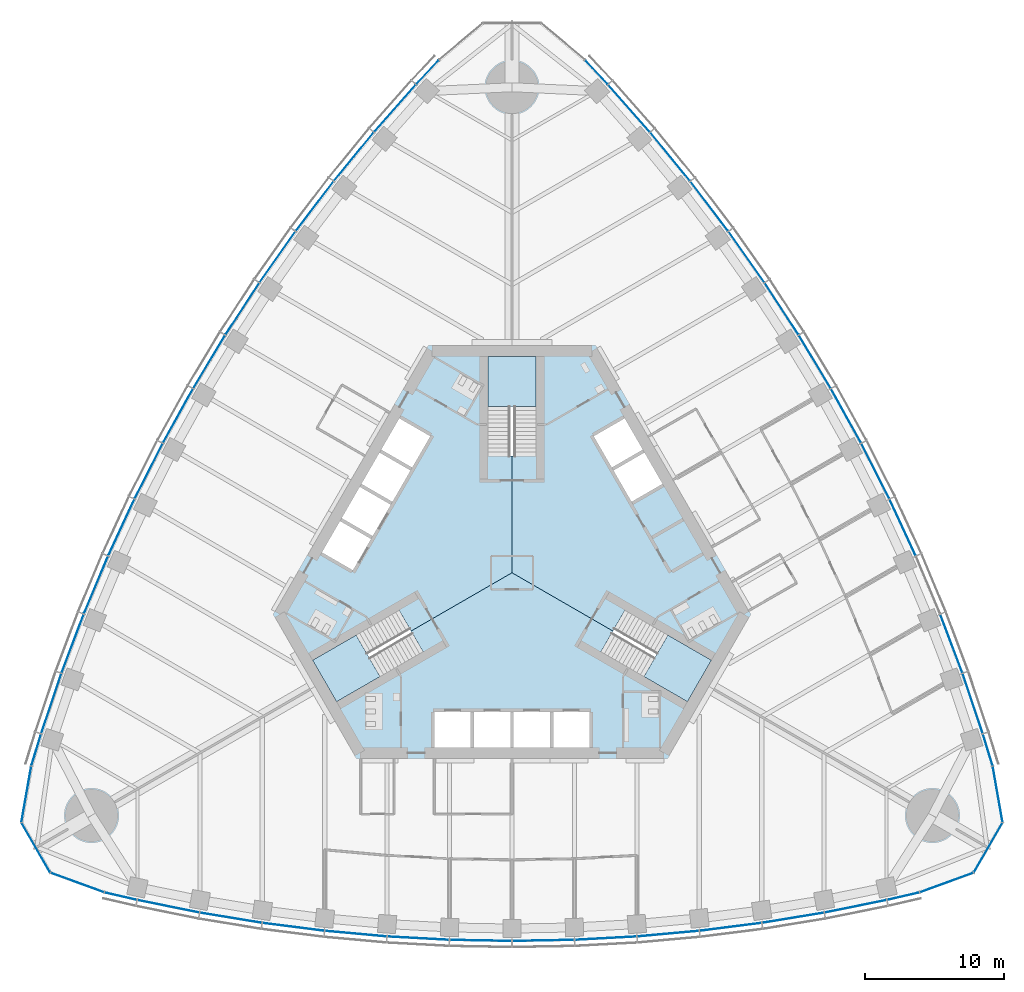
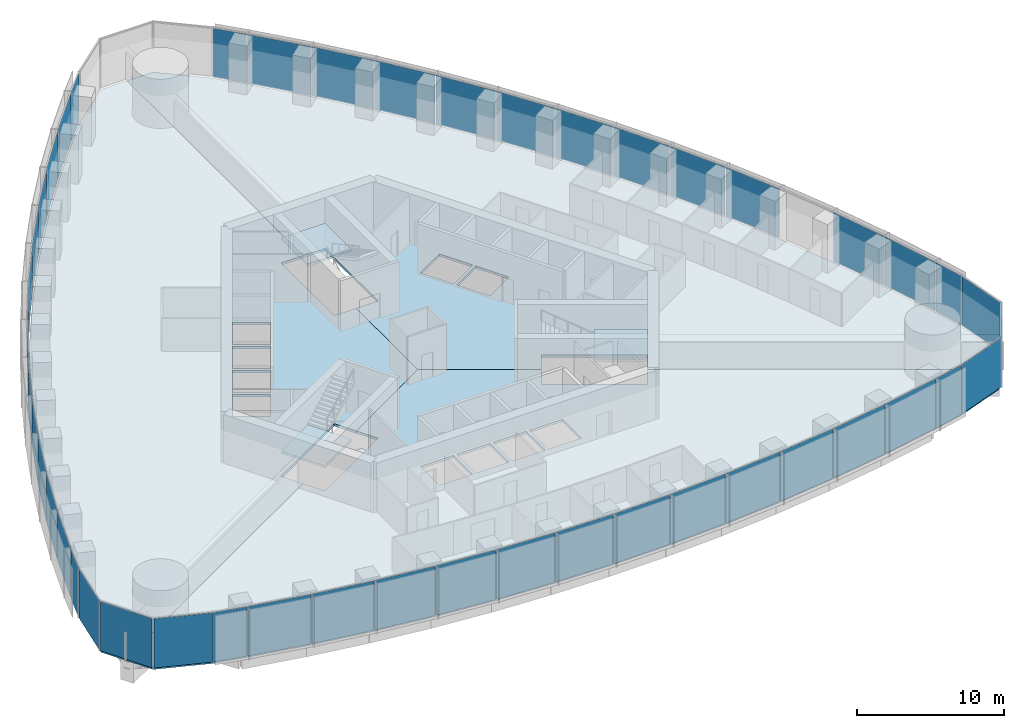
# One storey, part 10 of 19: 47 plates, 6 slabs, 8 elements without a shape of their own.
"""IFC4 building model written with IfcOpenShell, lengths in metres."""

from ifc_helpers import new_model, si_unit, direction, frame, origin, origin_2d, place, context, subcontext, project, spatial, polyline, rectangle, outline, extrude, material, layer, layer_set, type_object, element, aggregate, save


model = new_model("IFC4")

# Units and contexts
model_context = context("Model", 3, precision=1e-05, world=origin(), true_north=direction((0.0, 1.0)))
body_context = subcontext(model_context, "Body", "Model", "MODEL_VIEW")
ifc_project = project(units=[si_unit("LENGTHUNIT", "METRE"), si_unit("AREAUNIT", "SQUARE_METRE"), si_unit("VOLUMEUNIT", "CUBIC_METRE"), si_unit("PLANEANGLEUNIT", "RADIAN"), si_unit("MASSUNIT", "GRAM", prefix="KILO")], contexts=[model_context])

# Site, building, storey
site_placement = place(None, origin())
site = spatial("IfcSite", under=ifc_project, at=site_placement, CompositionType="ELEMENT")
building_placement = place(site_placement, origin())
building = spatial("IfcBuilding", under=site, at=building_placement, Name="Trefoil Bronze Tower", CompositionType="ELEMENT")
storey_placement = place(building_placement, frame((0.0, 0.0, 124.10009765625)))
storey = spatial("IfcBuildingStorey", under=building, at=storey_placement, Name="L28", CompositionType="ELEMENT", Elevation=124.10009765625)

# Curtain wall, plates
ifc_material_1 = material(Name="Tinted solar-control glass", Category="glass")
curtain_wall_type_1 = type_object("IfcCurtainWallType", Name="Bronze office curtain wall", PredefinedType="USERDEFINED", material=ifc_material_1)
curtain_wall_1_placement = place(storey_placement, origin())
curtain_wall_1 = element("IfcCurtainWall", 1, at=curtain_wall_1_placement, inside=storey, type_object=curtain_wall_type_1, Name="CW-A L28 F1", ObjectType="CURTAIN WALL", PredefinedType="USERDEFINED")
ifc_material_2 = material(Name="Tinted solar-control glass", Category="glass")
ifc_layer_1 = layer(ifc_material_2, 0.030029296875)
ifc_layer_set_1 = layer_set([ifc_layer_1], Name="Bronze office curtain wall glass panel")
plate_type_1 = type_object("IfcPlateType", Name="Bronze office curtain wall glass panel", PredefinedType="CURTAIN_PANEL", material=ifc_layer_set_1)
plate_1_placement = place(storey_placement, frame((-28.201416015625, -23.320068359375, -0.000244140625), z_axis=(0.0, 0.0, 1.0), x_axis=(0.97420444715, -0.225667222151, 0.0)))
plate_1 = element("IfcPlate", 2, at=plate_1_placement, type_object=plate_type_1, Name="CW-A L28 F1 panel 1", PredefinedType="CURTAIN_PANEL", context=body_context, shape_type="SweptSolid", body=[
    extrude(rectangle(XDim=2.340087890625, YDim=0.030029296875, at=origin_2d()), origin(), (0.0, 0.0, 1.0), 4.080078125),
])
plate_2_placement = place(storey_placement, frame((-24.769775390625, -24.048828125, -0.000244140625), z_axis=(0.0, 0.0, 1.0), x_axis=(0.980155155547, -0.198231861853, 0.0)))
plate_2 = element("IfcPlate", 3, at=plate_2_placement, type_object=plate_type_1, Name="CW-A L28 F1 panel 2", PredefinedType="CURTAIN_PANEL", context=body_context, shape_type="SweptSolid", body=[
    extrude(rectangle(XDim=4.51123046875, YDim=0.030029296875, at=origin_2d()), origin(), (0.0, 0.0, 1.0), 4.080078125),
])
plate_3_placement = place(storey_placement, frame((-20.26611328125, -24.87451171875, -0.000244140625), z_axis=(0.0, 0.0, 1.0), x_axis=(0.986759655731, -0.162189339418, 0.0)))
plate_3 = element("IfcPlate", 4, at=plate_3_placement, type_object=plate_type_1, Name="CW-A L28 F1 panel 3", PredefinedType="CURTAIN_PANEL", context=body_context, shape_type="SweptSolid", body=[
    extrude(rectangle(XDim=4.48046875, YDim=0.030029296875, at=origin_2d()), origin(), (0.0, 0.0, 1.0), 4.080078125),
])
plate_4_placement = place(storey_placement, frame((-15.7626953125, -25.53076171875, -0.000244140625), z_axis=(0.0, 0.0, 1.0), x_axis=(0.992011554286, -0.126147041833, 0.0)))
plate_4 = element("IfcPlate", 5, at=plate_4_placement, type_object=plate_type_1, Name="CW-A L28 F1 panel 4", PredefinedType="CURTAIN_PANEL", context=body_context, shape_type="SweptSolid", body=[
    extrude(rectangle(XDim=4.456298828125, YDim=0.030029296875, at=origin_2d()), origin(), (0.0, 0.0, 1.0), 4.080078125),
])
plate_5_placement = place(storey_placement, frame((-11.259033203125, -26.02099609375, -0.000244140625), z_axis=(0.0, 0.0, 1.0), x_axis=(0.995932279146, -0.090104913044, 0.0)))
plate_5 = element("IfcPlate", 6, at=plate_5_placement, type_object=plate_type_1, Name="CW-A L28 F1 panel 5", PredefinedType="CURTAIN_PANEL", context=body_context, shape_type="SweptSolid", body=[
    extrude(rectangle(XDim=4.4384765625, YDim=0.030029296875, at=origin_2d()), origin(), (0.0, 0.0, 1.0), 4.080078125),
])
plate_6_placement = place(storey_placement, frame((-6.75537109375, -26.3466796875, -0.000244140625), z_axis=(0.0, 0.0, 1.0), x_axis=(0.998537531923, -0.054062901701, 0.0)))
plate_6 = element("IfcPlate", 7, at=plate_6_placement, type_object=plate_type_1, Name="CW-A L28 F1 panel 6", PredefinedType="CURTAIN_PANEL", context=body_context, shape_type="SweptSolid", body=[
    extrude(rectangle(XDim=4.426513671875, YDim=0.030029296875, at=origin_2d()), origin(), (0.0, 0.0, 1.0), 4.080078125),
])
plate_7_placement = place(storey_placement, frame((-2.251708984375, -26.509033203125, -0.000244140625), z_axis=(0.0, 0.0, 1.0), x_axis=(0.999837609322, -0.018020959612, 0.0)))
plate_7 = element("IfcPlate", 8, at=plate_7_placement, type_object=plate_type_1, Name="CW-A L28 F1 panel 7", PredefinedType="CURTAIN_PANEL", context=body_context, shape_type="SweptSolid", body=[
    extrude(rectangle(XDim=4.420654296875, YDim=0.030029296875, at=origin_2d()), origin(), (0.0, 0.0, 1.0), 4.080078125),
])
plate_8_placement = place(storey_placement, frame((2.251708984375, -26.509033203125, -0.000244140625), z_axis=(0.0, 0.0, 1.0), x_axis=(0.999837609322, 0.018020959612, 0.0)))
plate_8 = element("IfcPlate", 9, at=plate_8_placement, type_object=plate_type_1, Name="CW-A L28 F1 panel 8", PredefinedType="CURTAIN_PANEL", context=body_context, shape_type="SweptSolid", body=[
    extrude(rectangle(XDim=4.420654296875, YDim=0.030029296875, at=origin_2d()), origin(), (0.0, 0.0, 1.0), 4.080078125),
])
plate_9_placement = place(storey_placement, frame((6.75537109375, -26.3466796875, -0.000244140625), z_axis=(0.0, 0.0, 1.0), x_axis=(0.998537531923, 0.054062901701, 0.0)))
plate_9 = element("IfcPlate", 10, at=plate_9_placement, type_object=plate_type_1, Name="CW-A L28 F1 panel 9", PredefinedType="CURTAIN_PANEL", context=body_context, shape_type="SweptSolid", body=[
    extrude(rectangle(XDim=4.426513671875, YDim=0.030029296875, at=origin_2d()), origin(), (0.0, 0.0, 1.0), 4.080078125),
])
plate_10_placement = place(storey_placement, frame((11.259033203125, -26.02099609375, -0.000244140625), z_axis=(0.0, 0.0, 1.0), x_axis=(0.995932279146, 0.090104913044, 0.0)))
plate_10 = element("IfcPlate", 11, at=plate_10_placement, type_object=plate_type_1, Name="CW-A L28 F1 panel 10", PredefinedType="CURTAIN_PANEL", context=body_context, shape_type="SweptSolid", body=[
    extrude(rectangle(XDim=4.4384765625, YDim=0.030029296875, at=origin_2d()), origin(), (0.0, 0.0, 1.0), 4.080078125),
])
plate_11_placement = place(storey_placement, frame((15.7626953125, -25.53076171875, -0.000244140625), z_axis=(0.0, 0.0, 1.0), x_axis=(0.992011554286, 0.126147041833, 0.0)))
plate_11 = element("IfcPlate", 12, at=plate_11_placement, type_object=plate_type_1, Name="CW-A L28 F1 panel 11", PredefinedType="CURTAIN_PANEL", context=body_context, shape_type="SweptSolid", body=[
    extrude(rectangle(XDim=4.456298828125, YDim=0.030029296875, at=origin_2d()), origin(), (0.0, 0.0, 1.0), 4.080078125),
])
plate_12_placement = place(storey_placement, frame((20.26611328125, -24.87451171875, -0.000244140625), z_axis=(0.0, 0.0, 1.0), x_axis=(0.986759655731, 0.162189339418, 0.0)))
plate_12 = element("IfcPlate", 13, at=plate_12_placement, type_object=plate_type_1, Name="CW-A L28 F1 panel 12", PredefinedType="CURTAIN_PANEL", context=body_context, shape_type="SweptSolid", body=[
    extrude(rectangle(XDim=4.48046875, YDim=0.030029296875, at=origin_2d()), origin(), (0.0, 0.0, 1.0), 4.080078125),
])
plate_13_placement = place(storey_placement, frame((24.769775390625, -24.048828125, -0.000244140625), z_axis=(0.0, 0.0, 1.0), x_axis=(0.980155155547, 0.198231861853, 0.0)))
plate_13 = element("IfcPlate", 14, at=plate_13_placement, type_object=plate_type_1, Name="CW-A L28 F1 panel 13", PredefinedType="CURTAIN_PANEL", context=body_context, shape_type="SweptSolid", body=[
    extrude(rectangle(XDim=4.51123046875, YDim=0.030029296875, at=origin_2d()), origin(), (0.0, 0.0, 1.0), 4.080078125),
])
plate_14_placement = place(storey_placement, frame((28.201416015625, -23.320068359375, -0.000244140625), z_axis=(0.0, 0.0, 1.0), x_axis=(0.97420444715, 0.225667222151, 0.0)))
plate_14 = element("IfcPlate", 15, at=plate_14_placement, type_object=plate_type_1, Name="CW-A L28 F1 panel 14", PredefinedType="CURTAIN_PANEL", context=body_context, shape_type="SweptSolid", body=[
    extrude(rectangle(XDim=2.340087890625, YDim=0.030029296875, at=origin_2d()), origin(), (0.0, 0.0, 1.0), 4.080078125),
])
aggregate(curtain_wall_1, [plate_1, plate_2, plate_3, plate_4, plate_5, plate_6, plate_7, plate_8, plate_9, plate_10, plate_11, plate_12, plate_13, plate_14])

curtain_wall_2_placement = place(storey_placement, origin())
curtain_wall_2 = element("IfcCurtainWall", 16, at=curtain_wall_2_placement, inside=storey, type_object=curtain_wall_type_1, Name="CW-A L28 F2", ObjectType="CURTAIN WALL", PredefinedType="USERDEFINED")
plate_15_placement = place(storey_placement, frame((34.296630859375, -12.762939453125, -0.000244140625), z_axis=(0.0, 0.0, 1.0), x_axis=(-0.291668676391, 0.956519410787, 0.0)))
plate_15 = element("IfcPlate", 17, at=plate_15_placement, type_object=plate_type_1, Name="CW-A L28 F2 panel 1", PredefinedType="CURTAIN_PANEL", context=body_context, shape_type="SweptSolid", body=[
    extrude(rectangle(XDim=2.340087890625, YDim=0.030029296875, at=origin_2d()), origin(), (0.0, 0.0, 1.0), 4.080078125),
])
plate_16_placement = place(storey_placement, frame((33.2119140625, -9.4267578125, -0.000244140625), z_axis=(0.0, 0.0, 1.0), x_axis=(-0.318403749569, 0.947955195281, 0.0)))
plate_16 = element("IfcPlate", 18, at=plate_16_placement, type_object=plate_type_1, Name="CW-A L28 F2 panel 2", PredefinedType="CURTAIN_PANEL", context=body_context, shape_type="SweptSolid", body=[
    extrude(rectangle(XDim=4.51123046875, YDim=0.030029296875, at=origin_2d()), origin(), (0.0, 0.0, 1.0), 4.080078125),
])
plate_17_placement = place(storey_placement, frame((31.675048828125, -5.11376953125, -0.000244140625), z_axis=(0.0, 0.0, 1.0), x_axis=(-0.352919739707, 0.935653599002, 0.0)))
plate_17 = element("IfcPlate", 19, at=plate_17_placement, type_object=plate_type_1, Name="CW-A L28 F2 panel 3", PredefinedType="CURTAIN_PANEL", context=body_context, shape_type="SweptSolid", body=[
    extrude(rectangle(XDim=4.48046875, YDim=0.030029296875, at=origin_2d()), origin(), (0.0, 0.0, 1.0), 4.080078125),
])
plate_18_placement = place(storey_placement, frame((28.164306640625, 3.260009765625, -0.000244140625), z_axis=(0.0, 0.0, 1.0), x_axis=(-0.419932995871, 0.907555110712, 0.0)))
plate_18 = element("IfcPlate", 20, at=plate_18_placement, type_object=plate_type_1, Name="CW-A L28 F2 panel 5", PredefinedType="CURTAIN_PANEL", context=body_context, shape_type="SweptSolid", body=[
    extrude(rectangle(XDim=4.4384765625, YDim=0.030029296875, at=origin_2d()), origin(), (0.0, 0.0, 1.0), 4.080078125),
])
plate_19_placement = place(storey_placement, frame((26.194580078125, 7.322998046875, -0.000244140625), z_axis=(0.0, 0.0, 1.0), x_axis=(-0.452448919686, 0.891790320128, 0.0)))
plate_19 = element("IfcPlate", 21, at=plate_19_placement, type_object=plate_type_1, Name="CW-A L28 F2 panel 6", PredefinedType="CURTAIN_PANEL", context=body_context, shape_type="SweptSolid", body=[
    extrude(rectangle(XDim=4.426513671875, YDim=0.030029296875, at=origin_2d()), origin(), (0.0, 0.0, 1.0), 4.080078125),
])
plate_20_placement = place(storey_placement, frame((24.08349609375, 11.304443359375, -0.000244140625), z_axis=(0.0, 0.0, 1.0), x_axis=(-0.484312195836, 0.874895249138, 0.0)))
plate_20 = element("IfcPlate", 22, at=plate_20_placement, type_object=plate_type_1, Name="CW-A L28 F2 panel 7", PredefinedType="CURTAIN_PANEL", context=body_context, shape_type="SweptSolid", body=[
    extrude(rectangle(XDim=4.420654296875, YDim=0.030029296875, at=origin_2d()), origin(), (0.0, 0.0, 1.0), 4.080078125),
])
plate_21_placement = place(storey_placement, frame((21.83154296875, 15.20458984375, -0.000244140625), z_axis=(0.0, 0.0, 1.0), x_axis=(-0.515525413486, 0.856874289526, 0.0)))
plate_21 = element("IfcPlate", 23, at=plate_21_placement, type_object=plate_type_1, Name="CW-A L28 F2 panel 8", PredefinedType="CURTAIN_PANEL", context=body_context, shape_type="SweptSolid", body=[
    extrude(rectangle(XDim=4.420654296875, YDim=0.030029296875, at=origin_2d()), origin(), (0.0, 0.0, 1.0), 4.080078125),
])
plate_22_placement = place(storey_placement, frame((19.439208984375, 19.023681640625, -0.000244140625), z_axis=(0.0, 0.0, 1.0), x_axis=(-0.546088612237, 0.837727418427, 0.0)))
plate_22 = element("IfcPlate", 24, at=plate_22_placement, type_object=plate_type_1, Name="CW-A L28 F2 panel 9", PredefinedType="CURTAIN_PANEL", context=body_context, shape_type="SweptSolid", body=[
    extrude(rectangle(XDim=4.426513671875, YDim=0.030029296875, at=origin_2d()), origin(), (0.0, 0.0, 1.0), 4.080078125),
])
plate_23_placement = place(storey_placement, frame((16.9052734375, 22.760986328125, -0.000244140625), z_axis=(0.0, 0.0, 1.0), x_axis=(-0.575999283275, 0.817450197667, 0.0)))
plate_23 = element("IfcPlate", 25, at=plate_23_placement, type_object=plate_type_1, Name="CW-A L28 F2 panel 10", PredefinedType="CURTAIN_PANEL", context=body_context, shape_type="SweptSolid", body=[
    extrude(rectangle(XDim=4.4384765625, YDim=0.030029296875, at=origin_2d()), origin(), (0.0, 0.0, 1.0), 4.080078125),
])
plate_24_placement = place(storey_placement, frame((14.22900390625, 26.416259765625, -0.000244140625), z_axis=(0.0, 0.0, 1.0), x_axis=(-0.605252319983, 0.796033685943, 0.0)))
plate_24 = element("IfcPlate", 26, at=plate_24_placement, type_object=plate_type_1, Name="CW-A L28 F2 panel 11", PredefinedType="CURTAIN_PANEL", context=body_context, shape_type="SweptSolid", body=[
    extrude(rectangle(XDim=4.456298828125, YDim=0.030029296875, at=origin_2d()), origin(), (0.0, 0.0, 1.0), 4.080078125),
])
plate_25_placement = place(storey_placement, frame((11.40869140625, 29.98828125, -0.000244140625), z_axis=(0.0, 0.0, 1.0), x_axis=(-0.633839916024, 0.773464259584, 0.0)))
plate_25 = element("IfcPlate", 27, at=plate_25_placement, type_object=plate_type_1, Name="CW-A L28 F2 panel 12", PredefinedType="CURTAIN_PANEL", context=body_context, shape_type="SweptSolid", body=[
    extrude(rectangle(XDim=4.48046875, YDim=0.030029296875, at=origin_2d()), origin(), (0.0, 0.0, 1.0), 4.080078125),
])
plate_26_placement = place(storey_placement, frame((8.442138671875, 33.475830078125, -0.000244140625), z_axis=(0.0, 0.0, 1.0), x_axis=(-0.661751405978, 0.749723333428, 0.0)))
plate_26 = element("IfcPlate", 28, at=plate_26_placement, type_object=plate_type_1, Name="CW-A L28 F2 panel 13", PredefinedType="CURTAIN_PANEL", context=body_context, shape_type="SweptSolid", body=[
    extrude(rectangle(XDim=4.51123046875, YDim=0.030029296875, at=origin_2d()), origin(), (0.0, 0.0, 1.0), 4.080078125),
])
plate_27_placement = place(storey_placement, frame((6.09521484375, 36.083251953125, -0.000244140625), z_axis=(0.0, 0.0, 1.0), x_axis=(-0.682535770759, 0.730852188636, 0.0)))
plate_27 = element("IfcPlate", 29, at=plate_27_placement, type_object=plate_type_1, Name="CW-A L28 F2 panel 14", PredefinedType="CURTAIN_PANEL", context=body_context, shape_type="SweptSolid", body=[
    extrude(rectangle(XDim=2.340087890625, YDim=0.030029296875, at=origin_2d()), origin(), (0.0, 0.0, 1.0), 4.080078125),
])
aggregate(curtain_wall_2, [plate_15, plate_16, plate_17, plate_18, plate_19, plate_20, plate_21, plate_22, plate_23, plate_24, plate_25, plate_26, plate_27])

curtain_wall_3_placement = place(storey_placement, origin())
curtain_wall_3 = element("IfcCurtainWall", 30, at=curtain_wall_3_placement, inside=storey, type_object=curtain_wall_type_1, Name="CW-A L28 F3", ObjectType="CURTAIN WALL", PredefinedType="USERDEFINED")
plate_28_placement = place(storey_placement, frame((-6.09521484375, 36.083251953125, -0.000244140625), z_axis=(0.0, 0.0, 1.0), x_axis=(-0.682535770759, -0.730852188636, 0.0)))
plate_28 = element("IfcPlate", 31, at=plate_28_placement, type_object=plate_type_1, Name="CW-A L28 F3 panel 1", PredefinedType="CURTAIN_PANEL", context=body_context, shape_type="SweptSolid", body=[
    extrude(rectangle(XDim=2.340087890625, YDim=0.030029296875, at=origin_2d()), origin(), (0.0, 0.0, 1.0), 4.080078125),
])
plate_29_placement = place(storey_placement, frame((-8.442138671875, 33.475830078125, -0.000244140625), z_axis=(0.0, 0.0, 1.0), x_axis=(-0.661751405978, -0.749723333428, 0.0)))
plate_29 = element("IfcPlate", 32, at=plate_29_placement, type_object=plate_type_1, Name="CW-A L28 F3 panel 2", PredefinedType="CURTAIN_PANEL", context=body_context, shape_type="SweptSolid", body=[
    extrude(rectangle(XDim=4.51123046875, YDim=0.030029296875, at=origin_2d()), origin(), (0.0, 0.0, 1.0), 4.080078125),
])
plate_30_placement = place(storey_placement, frame((-11.40869140625, 29.98828125, -0.000244140625), z_axis=(0.0, 0.0, 1.0), x_axis=(-0.633839916024, -0.773464259584, 0.0)))
plate_30 = element("IfcPlate", 33, at=plate_30_placement, type_object=plate_type_1, Name="CW-A L28 F3 panel 3", PredefinedType="CURTAIN_PANEL", context=body_context, shape_type="SweptSolid", body=[
    extrude(rectangle(XDim=4.48046875, YDim=0.030029296875, at=origin_2d()), origin(), (0.0, 0.0, 1.0), 4.080078125),
])
plate_31_placement = place(storey_placement, frame((-14.22900390625, 26.416259765625, -0.000244140625), z_axis=(0.0, 0.0, 1.0), x_axis=(-0.605252319983, -0.796033685943, 0.0)))
plate_31 = element("IfcPlate", 34, at=plate_31_placement, type_object=plate_type_1, Name="CW-A L28 F3 panel 4", PredefinedType="CURTAIN_PANEL", context=body_context, shape_type="SweptSolid", body=[
    extrude(rectangle(XDim=4.456298828125, YDim=0.030029296875, at=origin_2d()), origin(), (0.0, 0.0, 1.0), 4.080078125),
])
plate_32_placement = place(storey_placement, frame((-16.9052734375, 22.760986328125, -0.000244140625), z_axis=(0.0, 0.0, 1.0), x_axis=(-0.575999283275, -0.817450197667, 0.0)))
plate_32 = element("IfcPlate", 35, at=plate_32_placement, type_object=plate_type_1, Name="CW-A L28 F3 panel 5", PredefinedType="CURTAIN_PANEL", context=body_context, shape_type="SweptSolid", body=[
    extrude(rectangle(XDim=4.4384765625, YDim=0.030029296875, at=origin_2d()), origin(), (0.0, 0.0, 1.0), 4.080078125),
])
plate_33_placement = place(storey_placement, frame((-19.439208984375, 19.023681640625, -0.000244140625), z_axis=(0.0, 0.0, 1.0), x_axis=(-0.546088612237, -0.837727418427, 0.0)))
plate_33 = element("IfcPlate", 36, at=plate_33_placement, type_object=plate_type_1, Name="CW-A L28 F3 panel 6", PredefinedType="CURTAIN_PANEL", context=body_context, shape_type="SweptSolid", body=[
    extrude(rectangle(XDim=4.426513671875, YDim=0.030029296875, at=origin_2d()), origin(), (0.0, 0.0, 1.0), 4.080078125),
])
plate_34_placement = place(storey_placement, frame((-21.83154296875, 15.20458984375, -0.000244140625), z_axis=(0.0, 0.0, 1.0), x_axis=(-0.515525413486, -0.856874289526, 0.0)))
plate_34 = element("IfcPlate", 37, at=plate_34_placement, type_object=plate_type_1, Name="CW-A L28 F3 panel 7", PredefinedType="CURTAIN_PANEL", context=body_context, shape_type="SweptSolid", body=[
    extrude(rectangle(XDim=4.420654296875, YDim=0.030029296875, at=origin_2d()), origin(), (0.0, 0.0, 1.0), 4.080078125),
])
plate_35_placement = place(storey_placement, frame((-24.08349609375, 11.304443359375, -0.000244140625), z_axis=(0.0, 0.0, 1.0), x_axis=(-0.484312195836, -0.874895249138, 0.0)))
plate_35 = element("IfcPlate", 38, at=plate_35_placement, type_object=plate_type_1, Name="CW-A L28 F3 panel 8", PredefinedType="CURTAIN_PANEL", context=body_context, shape_type="SweptSolid", body=[
    extrude(rectangle(XDim=4.420654296875, YDim=0.030029296875, at=origin_2d()), origin(), (0.0, 0.0, 1.0), 4.080078125),
])
plate_36_placement = place(storey_placement, frame((-26.194580078125, 7.322998046875, -0.000244140625), z_axis=(0.0, 0.0, 1.0), x_axis=(-0.452448919686, -0.891790320128, 0.0)))
plate_36 = element("IfcPlate", 39, at=plate_36_placement, type_object=plate_type_1, Name="CW-A L28 F3 panel 9", PredefinedType="CURTAIN_PANEL", context=body_context, shape_type="SweptSolid", body=[
    extrude(rectangle(XDim=4.426513671875, YDim=0.030029296875, at=origin_2d()), origin(), (0.0, 0.0, 1.0), 4.080078125),
])
plate_37_placement = place(storey_placement, frame((-28.164306640625, 3.260009765625, -0.000244140625), z_axis=(0.0, 0.0, 1.0), x_axis=(-0.419932995871, -0.907555110712, 0.0)))
plate_37 = element("IfcPlate", 40, at=plate_37_placement, type_object=plate_type_1, Name="CW-A L28 F3 panel 10", PredefinedType="CURTAIN_PANEL", context=body_context, shape_type="SweptSolid", body=[
    extrude(rectangle(XDim=4.4384765625, YDim=0.030029296875, at=origin_2d()), origin(), (0.0, 0.0, 1.0), 4.080078125),
])
plate_38_placement = place(storey_placement, frame((-29.99169921875, -0.885498046875, -0.000244140625), z_axis=(0.0, 0.0, 1.0), x_axis=(-0.386759234303, -0.922180727776, 0.0)))
plate_38 = element("IfcPlate", 41, at=plate_38_placement, type_object=plate_type_1, Name="CW-A L28 F3 panel 11", PredefinedType="CURTAIN_PANEL", context=body_context, shape_type="SweptSolid", body=[
    extrude(rectangle(XDim=4.456298828125, YDim=0.030029296875, at=origin_2d()), origin(), (0.0, 0.0, 1.0), 4.080078125),
])
plate_39_placement = place(storey_placement, frame((-31.675048828125, -5.11376953125, -0.000244140625), z_axis=(0.0, 0.0, 1.0), x_axis=(-0.352919739707, -0.935653599002, 0.0)))
plate_39 = element("IfcPlate", 42, at=plate_39_placement, type_object=plate_type_1, Name="CW-A L28 F3 panel 12", PredefinedType="CURTAIN_PANEL", context=body_context, shape_type="SweptSolid", body=[
    extrude(rectangle(XDim=4.48046875, YDim=0.030029296875, at=origin_2d()), origin(), (0.0, 0.0, 1.0), 4.080078125),
])
plate_40_placement = place(storey_placement, frame((-33.2119140625, -9.4267578125, -0.000244140625), z_axis=(0.0, 0.0, 1.0), x_axis=(-0.318403749569, -0.947955195281, 0.0)))
plate_40 = element("IfcPlate", 43, at=plate_40_placement, type_object=plate_type_1, Name="CW-A L28 F3 panel 13", PredefinedType="CURTAIN_PANEL", context=body_context, shape_type="SweptSolid", body=[
    extrude(rectangle(XDim=4.51123046875, YDim=0.030029296875, at=origin_2d()), origin(), (0.0, 0.0, 1.0), 4.080078125),
])
plate_41_placement = place(storey_placement, frame((-34.296630859375, -12.762939453125, -0.000244140625), z_axis=(0.0, 0.0, 1.0), x_axis=(-0.291668676391, -0.956519410787, 0.0)))
plate_41 = element("IfcPlate", 44, at=plate_41_placement, type_object=plate_type_1, Name="CW-A L28 F3 panel 14", PredefinedType="CURTAIN_PANEL", context=body_context, shape_type="SweptSolid", body=[
    extrude(rectangle(XDim=2.340087890625, YDim=0.030029296875, at=origin_2d()), origin(), (0.0, 0.0, 1.0), 4.080078125),
])
aggregate(curtain_wall_3, [plate_28, plate_29, plate_30, plate_31, plate_32, plate_33, plate_34, plate_35, plate_36, plate_37, plate_38, plate_39, plate_40, plate_41])

ifc_material_3 = material(Name="Tinted solar-control glass", Category="glass")
curtain_wall_type_2 = type_object("IfcCurtainWallType", Name="Bronze rounded corner curtain wall", PredefinedType="USERDEFINED", material=ifc_material_3)
curtain_wall_4_placement = place(storey_placement, origin())
curtain_wall_4 = element("IfcCurtainWall", 45, at=curtain_wall_4_placement, inside=storey, type_object=curtain_wall_type_2, Name="CW-B L28 K1", ObjectType="CURTAIN WALL", PredefinedType="USERDEFINED")
ifc_material_4 = material(Name="Tinted solar-control glass", Category="glass")
ifc_layer_2 = layer(ifc_material_4, 0.030029296875)
ifc_layer_set_2 = layer_set([ifc_layer_2], Name="Bronze rounded corner curtain wall glass panel")
plate_type_2 = type_object("IfcPlateType", Name="Bronze rounded corner curtain wall glass panel", PredefinedType="CURTAIN_PANEL", material=ifc_layer_set_2)
plate_42_placement = place(storey_placement, frame((31.3203125, -22.341796875, -0.000244140625), z_axis=(0.0, 0.0, 1.0), x_axis=(0.939692620786, 0.342020143326, 0.0)))
plate_42 = element("IfcPlate", 46, at=plate_42_placement, type_object=plate_type_2, Name="CW-B L28 K1 panel 1", PredefinedType="CURTAIN_PANEL", context=body_context, shape_type="SweptSolid", body=[
    extrude(rectangle(XDim=4.044189453125, YDim=0.030029296875, at=origin_2d()), origin(), (0.0, 0.0, 1.0), 4.080078125),
])
plate_43_placement = place(storey_placement, frame((34.3271484375, -19.81884765625, -0.000244140625), z_axis=(0.0, 0.0, 1.0), x_axis=(0.5, 0.866025403784, 0.0)))
plate_43 = element("IfcPlate", 47, at=plate_43_placement, type_object=plate_type_2, Name="CW-B L28 K1 panel 2", PredefinedType="CURTAIN_PANEL", context=body_context, shape_type="SweptSolid", body=[
    extrude(rectangle(XDim=4.044189453125, YDim=0.030029296875, at=origin_2d()), origin(), (0.0, 0.0, 1.0), 4.080078125),
])
plate_44_placement = place(storey_placement, frame((35.0087890625, -15.953369140625, -0.000244140625), z_axis=(0.0, 0.0, 1.0), x_axis=(-0.173648177667, 0.984807753012, 0.0)))
plate_44 = element("IfcPlate", 48, at=plate_44_placement, type_object=plate_type_2, Name="CW-B L28 K1 panel 3", PredefinedType="CURTAIN_PANEL", context=body_context, shape_type="SweptSolid", body=[
    extrude(rectangle(XDim=4.044189453125, YDim=0.030029296875, at=origin_2d()), origin(), (0.0, 0.0, 1.0), 4.080078125),
])
aggregate(curtain_wall_4, [plate_42, plate_43, plate_44])

curtain_wall_5_placement = place(storey_placement, origin())
curtain_wall_5 = element("IfcCurtainWall", 49, at=curtain_wall_5_placement, inside=storey, type_object=curtain_wall_type_2, Name="CW-B L28 K3", ObjectType="CURTAIN WALL", PredefinedType="USERDEFINED")
plate_45_placement = place(storey_placement, frame((-35.0087890625, -15.953369140625, -0.000244140625), z_axis=(0.0, 0.0, 1.0), x_axis=(-0.173648177667, -0.984807753012, 0.0)))
plate_45 = element("IfcPlate", 50, at=plate_45_placement, type_object=plate_type_2, Name="CW-B L28 K3 panel 1", PredefinedType="CURTAIN_PANEL", context=body_context, shape_type="SweptSolid", body=[
    extrude(rectangle(XDim=4.044189453125, YDim=0.030029296875, at=origin_2d()), origin(), (0.0, 0.0, 1.0), 4.080078125),
])
plate_46_placement = place(storey_placement, frame((-34.3271484375, -19.81884765625, -0.000244140625), z_axis=(0.0, 0.0, 1.0), x_axis=(0.5, -0.866025403784, 0.0)))
plate_46 = element("IfcPlate", 51, at=plate_46_placement, type_object=plate_type_2, Name="CW-B L28 K3 panel 2", PredefinedType="CURTAIN_PANEL", context=body_context, shape_type="SweptSolid", body=[
    extrude(rectangle(XDim=4.044189453125, YDim=0.030029296875, at=origin_2d()), origin(), (0.0, 0.0, 1.0), 4.080078125),
])
plate_47_placement = place(storey_placement, frame((-31.3203125, -22.341796875, -0.000244140625), z_axis=(0.0, 0.0, 1.0), x_axis=(0.939692620786, -0.342020143326, 0.0)))
plate_47 = element("IfcPlate", 52, at=plate_47_placement, type_object=plate_type_2, Name="CW-B L28 K3 panel 3", PredefinedType="CURTAIN_PANEL", context=body_context, shape_type="SweptSolid", body=[
    extrude(rectangle(XDim=4.044189453125, YDim=0.030029296875, at=origin_2d()), origin(), (0.0, 0.0, 1.0), 4.080078125),
])
aggregate(curtain_wall_5, [plate_45, plate_46, plate_47])

# Slabs
ifc_material_5 = material(Name="Concrete B30", Category="concrete")
ifc_layer_3 = layer(ifc_material_5, 0.199951171875)
ifc_layer_set_3 = layer_set([ifc_layer_3], Name="Floor slab 200")
slab_type_1 = type_object("IfcSlabType", Name="Floor slab 200", PredefinedType="FLOOR", material=ifc_layer_set_3)
slab_1_placement = place(storey_placement, frame((0.0, 0.0, -0.2001953125)))
element("IfcSlab", 53, at=slab_1_placement, inside=storey, type_object=slab_type_1, Name="Floor slab L28 face 1", PredefinedType="FLOOR", context=body_context, shape_type="SweptSolid", body=[
    extrude(outline(polyline([(22.5, -24.406005859375), (18.0, -25.1455078125), (13.5, -25.7177734375), (9.0, -26.125), (4.5, -26.36865234375), (0.0, -26.44970703125), (-4.5, -26.36865234375), (-9.0, -26.125), (-13.5, -25.7177734375), (-18.0, -25.1455078125), (-22.5, -24.406005859375), (-27.0, -23.495849609375), (-29.357666015625, -22.94970703125), (-33.21435546875, -21.5458984375), (-34.240478515625, -19.768798828125), (-13.510009765625, -7.800048828125), (-12.6474609375, -9.2939453125), (-6.412109375, -5.69384765625), (-7.274658203125, -4.199951171875), (0.0, 0.0), (7.274658203125, -4.199951171875), (6.412109375, -5.69384765625), (12.6474609375, -9.2939453125), (13.510009765625, -7.800048828125), (34.240478515625, -19.768798828125), (33.21435546875, -21.5458984375), (29.357666015625, -22.94970703125), (27.0, -23.495849609375), (22.5, -24.406005859375)]), holes=[polyline([(-5.574951171875, -10.02490234375), (-2.97509765625, -10.02490234375), (-2.97509765625, -12.60009765625), (-5.574951171875, -12.60009765625), (-5.574951171875, -10.02490234375)]), polyline([(-2.72509765625, -10.02490234375), (-0.125, -10.02490234375), (-0.125, -12.60009765625), (-2.72509765625, -12.60009765625), (-2.72509765625, -10.02490234375)]), polyline([(0.125, -10.02490234375), (2.72509765625, -10.02490234375), (2.72509765625, -12.60009765625), (0.125, -12.60009765625), (0.125, -10.02490234375)]), polyline([(2.97509765625, -10.02490234375), (5.574951171875, -10.02490234375), (5.574951171875, -12.60009765625), (2.97509765625, -12.60009765625), (2.97509765625, -10.02490234375)])]), origin(), (0.0, 0.0, 1.0), 0.2001953125),
])
slab_2_placement = place(storey_placement, frame((0.0, 0.0, -0.2001953125)))
element("IfcSlab", 54, at=slab_2_placement, inside=storey, type_object=slab_type_1, Name="Floor slab L28 face 2", PredefinedType="FLOOR", context=body_context, shape_type="SweptSolid", body=[
    extrude(outline(polyline([(9.88623046875, 31.6884765625), (12.776611328125, 28.1611328125), (15.522216796875, 24.55029296875), (18.124755859375, 20.856689453125), (20.5859375, 17.081298828125), (22.906005859375, 13.224853515625), (25.0859375, 9.287109375), (27.124755859375, 5.268310546875), (29.022216796875, 1.16748046875), (30.776611328125, -3.015625), (32.38623046875, -7.28271484375), (33.847900390625, -11.634765625), (34.553955078125, -13.94970703125), (35.2666015625, -17.991455078125), (34.240478515625, -19.768798828125), (13.510009765625, -7.800048828125), (14.37255859375, -6.30615234375), (8.13720703125, -2.7060546875), (7.274658203125, -4.199951171875), (0.0, 0.0), (0.0, 8.39990234375), (1.72509765625, 8.39990234375), (1.72509765625, 15.60009765625), (0.0, 15.60009765625), (0.0, 39.53759765625), (2.052001953125, 39.53759765625), (5.196044921875, 36.8994140625), (6.847900390625, 35.130615234375), (9.88623046875, 31.6884765625)]), holes=[polyline([(8.619384765625, 5.120849609375), (7.3193359375, 7.372314453125), (9.54931640625, 8.659912109375), (10.849365234375, 6.408203125), (8.619384765625, 5.120849609375)]), polyline([(7.1943359375, 7.5888671875), (5.894287109375, 9.840576171875), (8.12451171875, 11.128173828125), (9.42431640625, 8.87646484375), (7.1943359375, 7.5888671875)])]), origin(), (0.0, 0.0, 1.0), 0.2001953125),
])
slab_3_placement = place(storey_placement, frame((0.0, 0.0, -0.2001953125)))
element("IfcSlab", 55, at=slab_3_placement, inside=storey, type_object=slab_type_1, Name="Floor slab L28 face 3", PredefinedType="FLOOR", context=body_context, shape_type="SweptSolid", body=[
    extrude(outline(polyline([(-32.38623046875, -7.28271484375), (-30.776611328125, -3.015625), (-29.022216796875, 1.16748046875), (-27.124755859375, 5.268310546875), (-25.0859375, 9.287109375), (-22.906005859375, 13.224853515625), (-20.5859375, 17.081298828125), (-18.124755859375, 20.856689453125), (-15.522216796875, 24.55029296875), (-12.776611328125, 28.1611328125), (-9.88623046875, 31.6884765625), (-6.847900390625, 35.130615234375), (-5.196044921875, 36.8994140625), (-2.052001953125, 39.53759765625), (0.0, 39.53759765625), (0.0, 15.60009765625), (-1.72509765625, 15.60009765625), (-1.72509765625, 8.39990234375), (0.0, 8.39990234375), (0.0, 0.0), (-7.274658203125, -4.199951171875), (-8.13720703125, -2.7060546875), (-14.37255859375, -6.30615234375), (-13.510009765625, -7.800048828125), (-34.240478515625, -19.768798828125), (-35.2666015625, -17.991455078125), (-34.553955078125, -13.94970703125), (-33.847900390625, -11.634765625), (-32.38623046875, -7.28271484375)]), holes=[polyline([(-5.894287109375, 9.840576171875), (-7.1943359375, 7.5888671875), (-9.42431640625, 8.87646484375), (-8.12451171875, 11.128173828125), (-5.894287109375, 9.840576171875)]), polyline([(-7.3193359375, 7.372314453125), (-8.619384765625, 5.120849609375), (-10.849365234375, 6.408203125), (-9.54931640625, 8.659912109375), (-7.3193359375, 7.372314453125)]), polyline([(-8.744384765625, 4.904296875), (-10.04443359375, 2.652587890625), (-12.2744140625, 3.940185546875), (-10.974365234375, 6.191650390625), (-8.744384765625, 4.904296875)]), polyline([(-10.16943359375, 2.43603515625), (-11.469482421875, 0.184326171875), (-13.699462890625, 1.471923828125), (-12.3994140625, 3.7236328125), (-10.16943359375, 2.43603515625)])]), origin(), (0.0, 0.0, 1.0), 0.2001953125),
])

# Stair, slab
ifc_material_6 = material(Name="Precast concrete B80", Category="concrete")
stair_type = type_object("IfcStairType", Name="Exit stair 26 risers", PredefinedType="HALF_TURN_STAIR", material=ifc_material_6)
stair_1_placement = place(storey_placement, origin())
stair_1 = element("IfcStair", 56, at=stair_1_placement, inside=storey, type_object=stair_type, Name="Stair ST1 L28", PredefinedType="HALF_TURN_STAIR")
ifc_material_7 = material(Name="Concrete B30", Category="concrete")
ifc_layer_4 = layer(ifc_material_7, 0.199951171875)
ifc_layer_set_4 = layer_set([ifc_layer_4], Name="Stair landing 200")
slab_type_2 = type_object("IfcSlabType", Name="Stair landing 200", PredefinedType="LANDING", material=ifc_layer_set_4)
slab_4_placement = place(storey_placement, frame((0.0, 0.0, 1.89990234375)))
slab_4 = element("IfcSlab", 57, at=slab_4_placement, type_object=slab_type_2, Name="ST1 landing 1", PredefinedType="LANDING", context=body_context, shape_type="SweptSolid", body=[
    extrude(outline(polyline([(9.512451171875, -7.48388671875), (12.6474609375, -9.2939453125), (14.37255859375, -6.30615234375), (11.237548828125, -4.49609375), (9.512451171875, -7.48388671875)])), origin(), (0.0, 0.0, 1.0), 0.199951171875),
])
aggregate(stair_1, [slab_4])

stair_2_placement = place(storey_placement, origin())
stair_2 = element("IfcStair", 58, at=stair_2_placement, inside=storey, type_object=stair_type, Name="Stair ST2 L28", PredefinedType="HALF_TURN_STAIR")
slab_5_placement = place(storey_placement, frame((0.0, 0.0, 1.89990234375)))
slab_5 = element("IfcSlab", 59, at=slab_5_placement, type_object=slab_type_2, Name="ST2 landing 1", PredefinedType="LANDING", context=body_context, shape_type="SweptSolid", body=[
    extrude(outline(polyline([(1.72509765625, 11.97998046875), (1.72509765625, 15.60009765625), (-1.72509765625, 15.60009765625), (-1.72509765625, 11.97998046875), (1.72509765625, 11.97998046875)])), origin(), (0.0, 0.0, 1.0), 0.199951171875),
])
aggregate(stair_2, [slab_5])

stair_3_placement = place(storey_placement, origin())
stair_3 = element("IfcStair", 60, at=stair_3_placement, inside=storey, type_object=stair_type, Name="Stair ST3 L28", PredefinedType="HALF_TURN_STAIR")
slab_6_placement = place(storey_placement, frame((0.0, 0.0, 1.89990234375)))
slab_6 = element("IfcSlab", 61, at=slab_6_placement, type_object=slab_type_2, Name="ST3 landing 1", PredefinedType="LANDING", context=body_context, shape_type="SweptSolid", body=[
    extrude(outline(polyline([(-11.237548828125, -4.49609375), (-14.37255859375, -6.30615234375), (-12.6474609375, -9.2939453125), (-9.512451171875, -7.48388671875), (-11.237548828125, -4.49609375)])), origin(), (0.0, 0.0, 1.0), 0.199951171875),
])
aggregate(stair_3, [slab_6])

save(model, "model.ifc")
